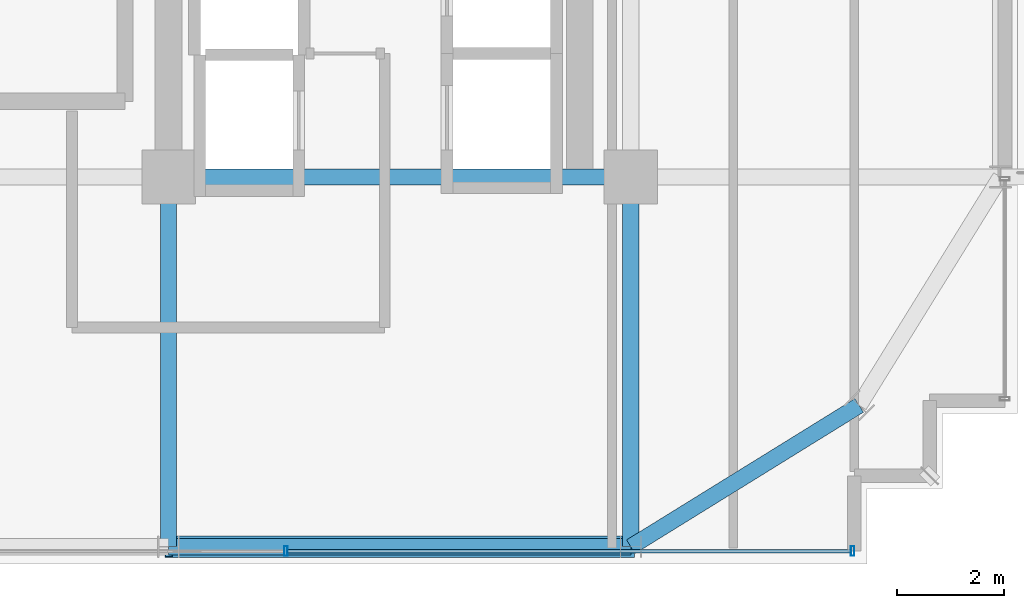
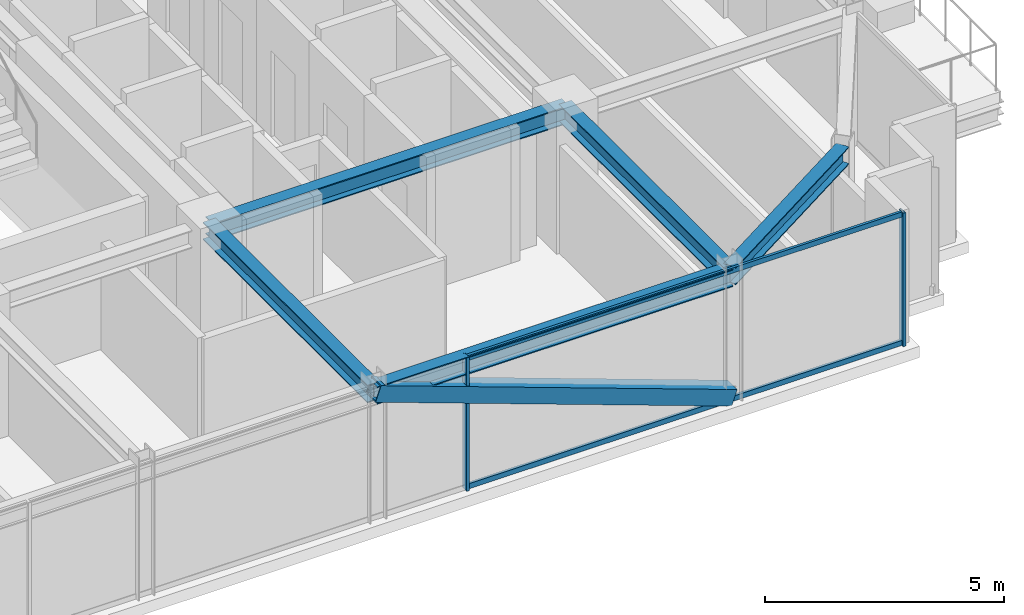
# One storey, part 12 of 43: 5 beams, 5 members, 1 element without a shape of its own.
"""IFC4 building model written with IfcOpenShell, lengths in metres."""

from ifc_helpers import new_model, si_unit, direction, frame, origin, origin_2d, place, context, subcontext, project, spatial, hollow_rectangle, i_section, extrude, source, transform, mapped, material, material_profile, profile_set, type_object, element, aggregate, save


model = new_model("IFC4")

# Units and contexts
model_context = context("Model", 3, precision=1e-05, world=origin(), true_north=direction((0.0, 1.0)))
body_context = subcontext(model_context, "Body", "Model", "MODEL_VIEW")
ifc_project = project(units=[si_unit("LENGTHUNIT", "METRE"), si_unit("AREAUNIT", "SQUARE_METRE"), si_unit("VOLUMEUNIT", "CUBIC_METRE"), si_unit("PLANEANGLEUNIT", "RADIAN"), si_unit("MASSUNIT", "GRAM", prefix="KILO")], contexts=[model_context])

# Site, building, storey
site_placement = place(None, origin())
site = spatial("IfcSite", under=ifc_project, at=site_placement, CompositionType="ELEMENT")
building_placement = place(site_placement, origin())
building = spatial("IfcBuilding", under=site, at=building_placement, Name="Nahalor Promenade Grand Hotel", CompositionType="ELEMENT")
storey_placement = place(building_placement, frame((0.0, 0.0, 204.89990234375)))
storey = spatial("IfcBuildingStorey", under=building, at=storey_placement, Name="L52", CompositionType="ELEMENT", Elevation=204.89990234375)

# Beams
ifc_material_1 = material(Name="Steel S355JR", Category="steel")
ifc_material_profile_1 = material_profile(ifc_material_1, i_section(OverallWidth=0.3, OverallDepth=0.45, WebThickness=0.014, FlangeThickness=0.026, at=origin_2d()), Name="HEB 450")
ifc_profile_set_1 = profile_set([ifc_material_profile_1], Name="Steel S355JR")
beam_type_1 = type_object("IfcBeamType", Name="Beam-Spandrel-HEB450", PredefinedType="SPANDREL", material=ifc_profile_set_1)
shared_shape_1 = source(origin(), body_context, "Body", "SweptSolid", [
    extrude(i_section(OverallWidth=0.3, OverallDepth=0.45, WebThickness=0.014, FlangeThickness=0.026, at=origin_2d()), origin(), (0.0, 0.0, 1.0), 8.60009765625),
])
beam_1_placement = place(storey_placement, frame((8.39990234375, -23.8798828125, 3.18505859375), z_axis=(1.0, 0.0, 0.0), x_axis=(0.0, 1.0, 0.0)))
element("IfcBeam", 1, at=beam_1_placement, inside=storey, type_object=beam_type_1, Name="BM-L52-SP-S-4", PredefinedType="SPANDREL", context=body_context, shape_type="MappedRepresentation", body=[
    mapped(shared_shape_1, transform((0.0, 0.0, 0.0), scale=1.0)),
])
shared_shape_2 = source(origin(), body_context, "Body", "SweptSolid", [
    extrude(i_section(OverallWidth=0.3, OverallDepth=0.45, WebThickness=0.014, FlangeThickness=0.026, at=origin_2d()), origin(), (0.0, 0.0, 1.0), 4.997802734375),
])
beam_2_placement = place(storey_placement, frame((17.0, -23.8798828125, 3.18505859375), z_axis=(0.850360908404, 0.526199891161, 0.0), x_axis=(-0.526199891161, 0.850360908404, 0.0)))
element("IfcBeam", 2, at=beam_2_placement, inside=storey, type_object=beam_type_1, Name="BM-L52-SPC-SE-1", PredefinedType="SPANDREL", context=body_context, shape_type="MappedRepresentation", body=[
    mapped(shared_shape_2, transform((0.0, 0.0, 0.0), scale=1.0)),
])
ifc_material_profile_2 = material_profile(ifc_material_1, i_section(OverallWidth=0.3, OverallDepth=0.45, WebThickness=0.014, FlangeThickness=0.026, at=origin_2d()), Name="HEB 450")
ifc_profile_set_2 = profile_set([ifc_material_profile_2], Name="Steel S355JR")
beam_type_2 = type_object("IfcBeamType", Name="Beam-Girder-HEB450", PredefinedType="BEAM", material=ifc_profile_set_2)
shared_shape_3 = source(origin(), body_context, "Body", "SweptSolid", [
    extrude(i_section(OverallWidth=0.3, OverallDepth=0.45, WebThickness=0.014, FlangeThickness=0.026, at=origin_2d()), origin(), (0.0, 0.0, 1.0), 6.8798828125),
])
for number, where, z_axis, x_axis, name in (
    (3, (8.39990234375, -23.8798828125, 3.18505859375), (0.0, 1.0, 0.0), (-1.0, 0.0, 0.0), "BM-L52-GY-4-0"),
    (4, (17.0, -23.8798828125, 3.18505859375), (0.0, 1.0, 0.0), (-1.0, 0.0, 0.0), "BM-L52-GY-5-0"),
):
    element("IfcBeam", number, at=place(storey_placement, frame(where, z_axis=z_axis, x_axis=x_axis)), inside=storey, type_object=beam_type_2, Name=name, PredefinedType="BEAM", context=body_context, shape_type="MappedRepresentation", body=[
        mapped(shared_shape_3, transform((0.0, 0.0, 0.0), scale=1.0)),
    ])
shared_shape_4 = source(origin(), body_context, "Body", "SweptSolid", [
    extrude(i_section(OverallWidth=0.3, OverallDepth=0.45, WebThickness=0.014, FlangeThickness=0.026, at=origin_2d()), origin(), (0.0, 0.0, 1.0), 8.60009765625),
])
beam_3_placement = place(storey_placement, frame((8.39990234375, -17.0, 3.18505859375), z_axis=(1.0, 0.0, 0.0), x_axis=(0.0, 1.0, 0.0)))
element("IfcBeam", 5, at=beam_3_placement, inside=storey, type_object=beam_type_2, Name="BM-L52-GX-0-5", PredefinedType="BEAM", context=body_context, shape_type="MappedRepresentation", body=[
    mapped(shared_shape_4, transform((0.0, 0.0, 0.0), scale=1.0)),
])

# Member
ifc_material_profile_3 = material_profile(ifc_material_1, hollow_rectangle(XDim=0.4, YDim=0.4, WallThickness=0.022, at=origin_2d()), Name="SHS 400x400x22")
ifc_profile_set_3 = profile_set([ifc_material_profile_3], Name="Steel S355JR")
member_type_1 = type_object("IfcMemberType", Name="Mem-ExoBrace-SHS400", PredefinedType="BRACE", material=ifc_profile_set_3)
shared_shape_5 = source(origin(), body_context, "Body", "SweptSolid", [
    extrude(hollow_rectangle(XDim=0.4, YDim=0.4, WallThickness=0.022, at=origin_2d()), origin(), (0.0, 0.0, 1.0), 9.14501953125),
])
member_1_placement = place(storey_placement, frame((17.0, -23.8798828125, 0.150146484375), z_axis=(-0.940404564616, 0.0, 0.340057722821), x_axis=(0.0, -1.0, 0.0)))
element("IfcMember", 6, at=member_1_placement, inside=storey, type_object=member_type_1, Name="EXO-L52-S-1", PredefinedType="BRACE", context=body_context, shape_type="MappedRepresentation", body=[
    mapped(shared_shape_5, transform((0.0, 0.0, 0.0), scale=1.0)),
])

# Curtain wall, members
ifc_material_2 = material(Name="Anodised Bronze Aluminium EN AW-6063 T6", Category="aluminium")
curtain_wall_type = type_object("IfcCurtainWallType", Name="CW2 Typical Hotel Flush Bronze Unitised Curtain Wall", PredefinedType="USERDEFINED", material=ifc_material_2)
curtain_wall_placement = place(storey_placement, origin())
curtain_wall = element("IfcCurtainWall", 7, at=curtain_wall_placement, inside=storey, type_object=curtain_wall_type, Name="L52 Curtain Wall CW-L52-S-1", ObjectType="UNITISED_CURTAIN_WALL", PredefinedType="USERDEFINED")
ifc_material_profile_4 = material_profile(ifc_material_2, hollow_rectangle(XDim=0.065, YDim=0.18, WallThickness=0.004, at=origin_2d()), Name="CWM 65x180x4")
ifc_profile_set_4 = profile_set([ifc_material_profile_4], Name="Anodised Bronze Aluminium EN AW-6063 T6")
member_type_2 = type_object("IfcMemberType", Name="CWM2 Typical Bronze Mullion 65x180", PredefinedType="MULLION", material=ifc_profile_set_4)
shared_shape_6 = source(origin(), body_context, "Body", "SweptSolid", [
    extrude(hollow_rectangle(XDim=0.065, YDim=0.18, WallThickness=0.004, at=origin_2d()), origin(), (0.0, 0.0, 1.0), 3.41015625),
])
member_2_placement = place(storey_placement, frame((10.580078125, -23.9599609375, 0.0), z_axis=(0.0, 0.0, 1.0), x_axis=(1.0, 0.0, 0.0)))
member_2 = element("IfcMember", 8, at=member_2_placement, type_object=member_type_2, Name="CW-L52-S-1 Mullion 3", PredefinedType="MULLION", context=body_context, shape_type="MappedRepresentation", body=[
    mapped(shared_shape_6, transform((0.0, 0.0, 0.0), scale=1.0)),
])
member_3_placement = place(storey_placement, frame((21.12744140625, -23.9599609375, 0.0), z_axis=(0.0, 0.0, 1.0), x_axis=(1.0, 0.0, 0.0)))
member_3 = element("IfcMember", 9, at=member_3_placement, type_object=member_type_2, Name="CW-L52-S-1 Mullion 4", PredefinedType="MULLION", context=body_context, shape_type="MappedRepresentation", body=[
    mapped(shared_shape_6, transform((0.0, 0.0, 0.0), scale=1.0)),
])
ifc_material_profile_5 = material_profile(ifc_material_2, hollow_rectangle(XDim=0.065, YDim=0.13, WallThickness=0.004, at=origin_2d()), Name="CWT 65x130x4")
ifc_profile_set_5 = profile_set([ifc_material_profile_5], Name="Anodised Bronze Aluminium EN AW-6063 T6")
member_type_3 = type_object("IfcMemberType", Name="CWT2 Typical Bronze Transom 65x130", PredefinedType="USERDEFINED", material=ifc_profile_set_5)
shared_shape_7 = source(origin(), body_context, "Body", "SweptSolid", [
    extrude(hollow_rectangle(XDim=0.065, YDim=0.13, WallThickness=0.004, at=origin_2d()), origin(), (0.0, 0.0, 1.0), 10.482421875),
])
member_4_placement = place(storey_placement, frame((10.612548828125, -23.9599609375, 0.065185546875), z_axis=(1.0, 0.0, 0.0), x_axis=(0.0, 1.0, 0.0)))
member_4 = element("IfcMember", 10, at=member_4_placement, type_object=member_type_3, Name="CW-L52-S-1 Transom 3-0", ObjectType="TRANSOM", PredefinedType="USERDEFINED", context=body_context, shape_type="MappedRepresentation", body=[
    mapped(shared_shape_7, transform((0.0, 0.0, 0.0), scale=1.0)),
])
member_5_placement = place(storey_placement, frame((10.612548828125, -23.9599609375, 3.34521484375), z_axis=(1.0, 0.0, 0.0), x_axis=(0.0, 1.0, 0.0)))
member_5 = element("IfcMember", 11, at=member_5_placement, type_object=member_type_3, Name="CW-L52-S-1 Transom 3-1", ObjectType="TRANSOM", PredefinedType="USERDEFINED", context=body_context, shape_type="MappedRepresentation", body=[
    mapped(shared_shape_7, transform((0.0, 0.0, 0.0), scale=1.0)),
])
aggregate(curtain_wall, [member_2, member_3, member_4, member_5])

save(model, "model.ifc")
